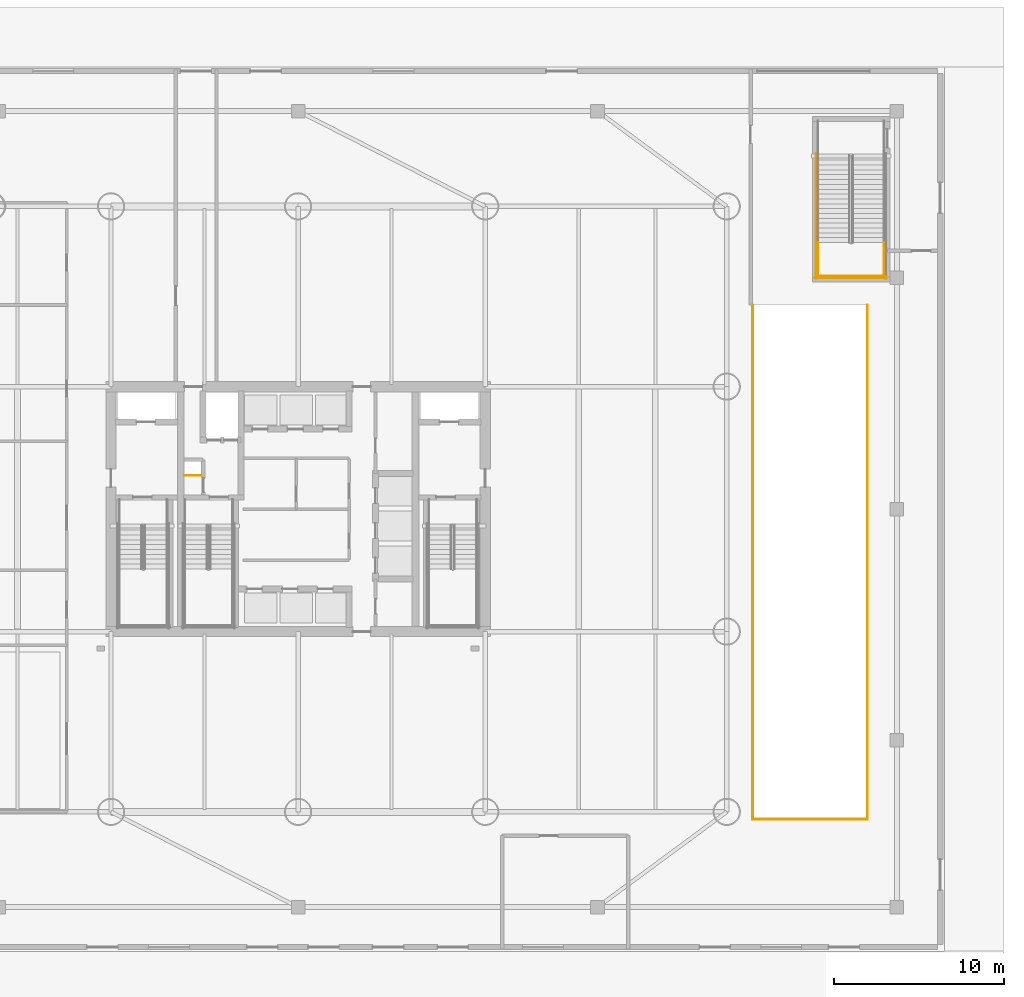
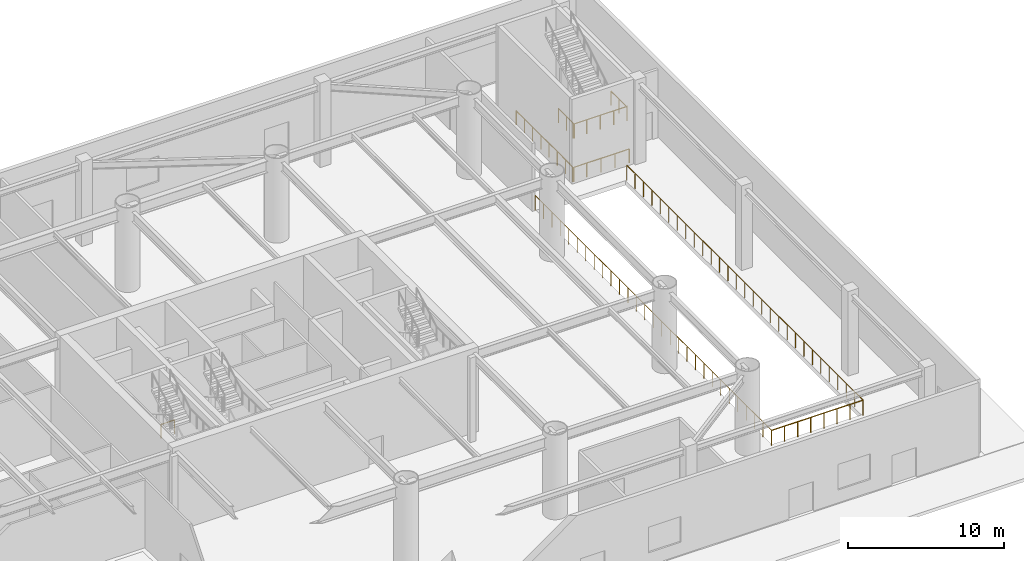
# One storey, part 13 of 15: 9 railings.
"""IFC4 building model written with IfcOpenShell, lengths in metres."""

from ifc_helpers import new_model, si_unit, direction, frame, origin, origin_2d, place, context, subcontext, project, spatial, circle, extrude, material, type_object, element, save


model = new_model("IFC4")

# Units and contexts
model_context = context("Model", 3, precision=1e-05, world=origin(), true_north=direction((0.0, 1.0)))
body_context = subcontext(model_context, "Body", "Model", "MODEL_VIEW")
ifc_project = project(units=[si_unit("LENGTHUNIT", "METRE"), si_unit("AREAUNIT", "SQUARE_METRE"), si_unit("VOLUMEUNIT", "CUBIC_METRE"), si_unit("PLANEANGLEUNIT", "RADIAN"), si_unit("MASSUNIT", "GRAM", prefix="KILO")], contexts=[model_context])

# Site, building, storey
site_placement = place(None, origin())
site = spatial("IfcSite", under=ifc_project, at=site_placement, CompositionType="ELEMENT")
building_placement = place(site_placement, origin())
building = spatial("IfcBuilding", under=site, at=building_placement, Name="Bramvorn Convention Spire", CompositionType="ELEMENT")
storey_placement = place(building_placement, origin())
storey = spatial("IfcBuildingStorey", under=building, at=storey_placement, Name="L00", CompositionType="ELEMENT", Elevation=0.0)

# Railings
ifc_material_1 = material(Name="Warm Bronze Perforated Metal & Glass Balustrade", Category="glass")
railing_type_1 = type_object("IfcRailingType", Name="RL-POD-BALUSTRADE-1200", PredefinedType="BALUSTRADE", material=ifc_material_1)
railing_1_placement = place(storey_placement, frame((64.719970703125, 38.0, 0.0)))
element("IfcRailing", 1, at=railing_1_placement, inside=storey, type_object=railing_type_1, Name="L00 vehicle ramp opening west safety balustrade", PredefinedType="BALUSTRADE", context=body_context, shape_type="SweptSolid", body=[
    extrude(circle(Radius=0.02392578125, at=origin_2d()), frame((0.0, 0.0, 1.17578125), z_axis=(0.0, -1.0, 0.0), x_axis=(1.0, 0.0, 0.0)), (0.0, 0.0, 1.0), 30.22998046875),
    extrude(circle(Radius=0.02099609375, at=origin_2d()), origin(), (0.0, 0.0, 1.0), 1.15185546875),
    extrude(circle(Radius=0.02099609375, at=origin_2d()), frame((0.0, -1.07958984375, 0.0)), (0.0, 0.0, 1.0), 1.15185546875),
    extrude(circle(Radius=0.02099609375, at=origin_2d()), frame((0.0, -2.1591796875, 0.0)), (0.0, 0.0, 1.0), 1.15185546875),
    extrude(circle(Radius=0.02099609375, at=origin_2d()), frame((0.0, -3.239013671875, 0.0)), (0.0, 0.0, 1.0), 1.15185546875),
    extrude(circle(Radius=0.02099609375, at=origin_2d()), frame((0.0, -4.318603515625, 0.0)), (0.0, 0.0, 1.0), 1.15185546875),
    extrude(circle(Radius=0.02099609375, at=origin_2d()), frame((0.0, -5.398193359375, 0.0)), (0.0, 0.0, 1.0), 1.15185546875),
    extrude(circle(Radius=0.02099609375, at=origin_2d()), frame((0.0, -6.477783203125, 0.0)), (0.0, 0.0, 1.0), 1.15185546875),
    extrude(circle(Radius=0.02099609375, at=origin_2d()), frame((0.0, -7.5576171875, 0.0)), (0.0, 0.0, 1.0), 1.15185546875),
    extrude(circle(Radius=0.02099609375, at=origin_2d()), frame((0.0, -8.63720703125, 0.0)), (0.0, 0.0, 1.0), 1.15185546875),
    extrude(circle(Radius=0.02099609375, at=origin_2d()), frame((0.0, -9.716796875, 0.0)), (0.0, 0.0, 1.0), 1.15185546875),
    extrude(circle(Radius=0.02099609375, at=origin_2d()), frame((0.0, -10.79638671875, 0.0)), (0.0, 0.0, 1.0), 1.15185546875),
    extrude(circle(Radius=0.02099609375, at=origin_2d()), frame((0.0, -11.8759765625, 0.0)), (0.0, 0.0, 1.0), 1.15185546875),
    extrude(circle(Radius=0.02099609375, at=origin_2d()), frame((0.0, -12.955810546875, 0.0)), (0.0, 0.0, 1.0), 1.15185546875),
    extrude(circle(Radius=0.02099609375, at=origin_2d()), frame((0.0, -14.035400390625, 0.0)), (0.0, 0.0, 1.0), 1.15185546875),
    extrude(circle(Radius=0.02099609375, at=origin_2d()), frame((0.0, -15.114990234375, 0.0)), (0.0, 0.0, 1.0), 1.15185546875),
    extrude(circle(Radius=0.02099609375, at=origin_2d()), frame((0.0, -16.194580078125, 0.0)), (0.0, 0.0, 1.0), 1.15185546875),
    extrude(circle(Radius=0.02099609375, at=origin_2d()), frame((0.0, -17.274169921875, 0.0)), (0.0, 0.0, 1.0), 1.15185546875),
    extrude(circle(Radius=0.02099609375, at=origin_2d()), frame((0.0, -18.35400390625, 0.0)), (0.0, 0.0, 1.0), 1.15185546875),
    extrude(circle(Radius=0.02099609375, at=origin_2d()), frame((0.0, -19.43359375, 0.0)), (0.0, 0.0, 1.0), 1.15185546875),
    extrude(circle(Radius=0.02099609375, at=origin_2d()), frame((0.0, -20.51318359375, 0.0)), (0.0, 0.0, 1.0), 1.15185546875),
    extrude(circle(Radius=0.02099609375, at=origin_2d()), frame((0.0, -21.5927734375, 0.0)), (0.0, 0.0, 1.0), 1.15185546875),
    extrude(circle(Radius=0.02099609375, at=origin_2d()), frame((0.0, -22.67236328125, 0.0)), (0.0, 0.0, 1.0), 1.15185546875),
    extrude(circle(Radius=0.02099609375, at=origin_2d()), frame((0.0, -23.752197265625, 0.0)), (0.0, 0.0, 1.0), 1.15185546875),
    extrude(circle(Radius=0.02099609375, at=origin_2d()), frame((0.0, -24.831787109375, 0.0)), (0.0, 0.0, 1.0), 1.15185546875),
    extrude(circle(Radius=0.02099609375, at=origin_2d()), frame((0.0, -25.911376953125, 0.0)), (0.0, 0.0, 1.0), 1.15185546875),
    extrude(circle(Radius=0.02099609375, at=origin_2d()), frame((0.0, -26.990966796875, 0.0)), (0.0, 0.0, 1.0), 1.15185546875),
    extrude(circle(Radius=0.02099609375, at=origin_2d()), frame((0.0, -28.07080078125, 0.0)), (0.0, 0.0, 1.0), 1.15185546875),
    extrude(circle(Radius=0.02099609375, at=origin_2d()), frame((0.0, -29.150390625, 0.0)), (0.0, 0.0, 1.0), 1.15185546875),
    extrude(circle(Radius=0.02099609375, at=origin_2d()), frame((0.0, -30.22998046875, 0.0)), (0.0, 0.0, 1.0), 1.15185546875),
])
railing_2_placement = place(storey_placement, frame((64.719970703125, 7.77001953125, 0.0)))
element("IfcRailing", 2, at=railing_2_placement, inside=storey, type_object=railing_type_1, Name="L00 vehicle ramp opening south safety balustrade", PredefinedType="BALUSTRADE", context=body_context, shape_type="SweptSolid", body=[
    extrude(circle(Radius=0.02392578125, at=origin_2d()), frame((0.0, 0.0, 1.17578125), z_axis=(1.0, 0.0, 0.0), x_axis=(0.0, 1.0, 0.0)), (0.0, 0.0, 1.0), 6.760009765625),
    extrude(circle(Radius=0.02099609375, at=origin_2d()), origin(), (0.0, 0.0, 1.0), 1.15185546875),
    extrude(circle(Radius=0.02099609375, at=origin_2d()), frame((0.9658203125, 0.0, 0.0)), (0.0, 0.0, 1.0), 1.15185546875),
    extrude(circle(Radius=0.02099609375, at=origin_2d()), frame((1.931396484375, 0.0, 0.0)), (0.0, 0.0, 1.0), 1.15185546875),
    extrude(circle(Radius=0.02099609375, at=origin_2d()), frame((2.897216796875, 0.0, 0.0)), (0.0, 0.0, 1.0), 1.15185546875),
    extrude(circle(Radius=0.02099609375, at=origin_2d()), frame((3.86279296875, 0.0, 0.0)), (0.0, 0.0, 1.0), 1.15185546875),
    extrude(circle(Radius=0.02099609375, at=origin_2d()), frame((4.82861328125, 0.0, 0.0)), (0.0, 0.0, 1.0), 1.15185546875),
    extrude(circle(Radius=0.02099609375, at=origin_2d()), frame((5.794189453125, 0.0, 0.0)), (0.0, 0.0, 1.0), 1.15185546875),
    extrude(circle(Radius=0.02099609375, at=origin_2d()), frame((6.760009765625, 0.0, 0.0)), (0.0, 0.0, 1.0), 1.15185546875),
])
railing_3_placement = place(storey_placement, frame((71.47998046875, 7.77001953125, 0.0)))
element("IfcRailing", 3, at=railing_3_placement, inside=storey, type_object=railing_type_1, Name="L00 vehicle ramp opening east safety balustrade", PredefinedType="BALUSTRADE", context=body_context, shape_type="SweptSolid", body=[
    extrude(circle(Radius=0.02392578125, at=origin_2d()), frame((0.0, 0.0, 1.17578125), z_axis=(0.0, 1.0, 0.0), x_axis=(-1.0, 0.0, 0.0)), (0.0, 0.0, 1.0), 30.22998046875),
    extrude(circle(Radius=0.02099609375, at=origin_2d()), origin(), (0.0, 0.0, 1.0), 1.15185546875),
    extrude(circle(Radius=0.02099609375, at=origin_2d()), frame((0.0, 1.07958984375, 0.0)), (0.0, 0.0, 1.0), 1.15185546875),
    extrude(circle(Radius=0.02099609375, at=origin_2d()), frame((0.0, 2.1591796875, 0.0)), (0.0, 0.0, 1.0), 1.15185546875),
    extrude(circle(Radius=0.02099609375, at=origin_2d()), frame((0.0, 3.239013671875, 0.0)), (0.0, 0.0, 1.0), 1.15185546875),
    extrude(circle(Radius=0.02099609375, at=origin_2d()), frame((0.0, 4.318603515625, 0.0)), (0.0, 0.0, 1.0), 1.15185546875),
    extrude(circle(Radius=0.02099609375, at=origin_2d()), frame((0.0, 5.398193359375, 0.0)), (0.0, 0.0, 1.0), 1.15185546875),
    extrude(circle(Radius=0.02099609375, at=origin_2d()), frame((0.0, 6.477783203125, 0.0)), (0.0, 0.0, 1.0), 1.15185546875),
    extrude(circle(Radius=0.02099609375, at=origin_2d()), frame((0.0, 7.5576171875, 0.0)), (0.0, 0.0, 1.0), 1.15185546875),
    extrude(circle(Radius=0.02099609375, at=origin_2d()), frame((0.0, 8.63720703125, 0.0)), (0.0, 0.0, 1.0), 1.15185546875),
    extrude(circle(Radius=0.02099609375, at=origin_2d()), frame((0.0, 9.716796875, 0.0)), (0.0, 0.0, 1.0), 1.15185546875),
    extrude(circle(Radius=0.02099609375, at=origin_2d()), frame((0.0, 10.79638671875, 0.0)), (0.0, 0.0, 1.0), 1.15185546875),
    extrude(circle(Radius=0.02099609375, at=origin_2d()), frame((0.0, 11.8759765625, 0.0)), (0.0, 0.0, 1.0), 1.15185546875),
    extrude(circle(Radius=0.02099609375, at=origin_2d()), frame((0.0, 12.955810546875, 0.0)), (0.0, 0.0, 1.0), 1.15185546875),
    extrude(circle(Radius=0.02099609375, at=origin_2d()), frame((0.0, 14.035400390625, 0.0)), (0.0, 0.0, 1.0), 1.15185546875),
    extrude(circle(Radius=0.02099609375, at=origin_2d()), frame((0.0, 15.114990234375, 0.0)), (0.0, 0.0, 1.0), 1.15185546875),
    extrude(circle(Radius=0.02099609375, at=origin_2d()), frame((0.0, 16.194580078125, 0.0)), (0.0, 0.0, 1.0), 1.15185546875),
    extrude(circle(Radius=0.02099609375, at=origin_2d()), frame((0.0, 17.274169921875, 0.0)), (0.0, 0.0, 1.0), 1.15185546875),
    extrude(circle(Radius=0.02099609375, at=origin_2d()), frame((0.0, 18.35400390625, 0.0)), (0.0, 0.0, 1.0), 1.15185546875),
    extrude(circle(Radius=0.02099609375, at=origin_2d()), frame((0.0, 19.43359375, 0.0)), (0.0, 0.0, 1.0), 1.15185546875),
    extrude(circle(Radius=0.02099609375, at=origin_2d()), frame((0.0, 20.51318359375, 0.0)), (0.0, 0.0, 1.0), 1.15185546875),
    extrude(circle(Radius=0.02099609375, at=origin_2d()), frame((0.0, 21.5927734375, 0.0)), (0.0, 0.0, 1.0), 1.15185546875),
    extrude(circle(Radius=0.02099609375, at=origin_2d()), frame((0.0, 22.67236328125, 0.0)), (0.0, 0.0, 1.0), 1.15185546875),
    extrude(circle(Radius=0.02099609375, at=origin_2d()), frame((0.0, 23.752197265625, 0.0)), (0.0, 0.0, 1.0), 1.15185546875),
    extrude(circle(Radius=0.02099609375, at=origin_2d()), frame((0.0, 24.831787109375, 0.0)), (0.0, 0.0, 1.0), 1.15185546875),
    extrude(circle(Radius=0.02099609375, at=origin_2d()), frame((0.0, 25.911376953125, 0.0)), (0.0, 0.0, 1.0), 1.15185546875),
    extrude(circle(Radius=0.02099609375, at=origin_2d()), frame((0.0, 26.990966796875, 0.0)), (0.0, 0.0, 1.0), 1.15185546875),
    extrude(circle(Radius=0.02099609375, at=origin_2d()), frame((0.0, 28.07080078125, 0.0)), (0.0, 0.0, 1.0), 1.15185546875),
    extrude(circle(Radius=0.02099609375, at=origin_2d()), frame((0.0, 29.150390625, 0.0)), (0.0, 0.0, 1.0), 1.15185546875),
    extrude(circle(Radius=0.02099609375, at=origin_2d()), frame((0.0, 30.22998046875, 0.0)), (0.0, 0.0, 1.0), 1.15185546875),
])
ifc_material_2 = material(Name="Painted Steel Balustrade & Guardrail", Category="steel")
railing_type_2 = type_object("IfcRailingType", Name="RL-STAIR-GUARD-1100", PredefinedType="GUARDRAIL", material=ifc_material_2)
for number, where, name in (
    (4, (68.570068359375, 41.669921875, 3.300048828125), "L00 ST5 stair guard 3"),
    (5, (72.449951171875, 41.669921875, 3.300048828125), "L00 ST5 stair guard 4"),
):
    element("IfcRailing", number, at=place(storey_placement, frame(where)), inside=storey, type_object=railing_type_2, Name=name, PredefinedType="GUARDRAIL", context=body_context, shape_type="SweptSolid", body=[
        extrude(circle(Radius=0.02392578125, at=origin_2d()), frame((0.0, 0.0, 1.076171875), z_axis=(0.0, -1.0, 0.0), x_axis=(1.0, 0.0, 0.0)), (0.0, 0.0, 1.0), 2.02001953125),
        extrude(circle(Radius=0.02099609375, at=origin_2d()), origin(), (0.0, 0.0, 1.0), 1.052001953125),
        extrude(circle(Radius=0.02099609375, at=origin_2d()), frame((0.0, -1.010009765625, 0.0)), (0.0, 0.0, 1.0), 1.052001953125),
        extrude(circle(Radius=0.02099609375, at=origin_2d()), frame((0.0, -2.02001953125, 0.0)), (0.0, 0.0, 1.0), 1.052001953125),
    ])
railing_4_placement = place(storey_placement, frame((68.52001953125, 39.699951171875, 3.300048828125)))
element("IfcRailing", 6, at=railing_4_placement, inside=storey, type_object=railing_type_2, Name="L00 ST5 stair guard 5", PredefinedType="GUARDRAIL", context=body_context, shape_type="SweptSolid", body=[
    extrude(circle(Radius=0.02392578125, at=origin_2d()), frame((0.0, 0.0, 1.076171875), z_axis=(1.0, 0.0, 0.0), x_axis=(0.0, 1.0, 0.0)), (0.0, 0.0, 1.0), 3.97998046875),
    extrude(circle(Radius=0.02099609375, at=origin_2d()), origin(), (0.0, 0.0, 1.0), 1.052001953125),
    extrude(circle(Radius=0.02099609375, at=origin_2d()), frame((0.9951171875, 0.0, 0.0)), (0.0, 0.0, 1.0), 1.052001953125),
    extrude(circle(Radius=0.02099609375, at=origin_2d()), frame((1.989990234375, 0.0, 0.0)), (0.0, 0.0, 1.0), 1.052001953125),
    extrude(circle(Radius=0.02099609375, at=origin_2d()), frame((2.98486328125, 0.0, 0.0)), (0.0, 0.0, 1.0), 1.052001953125),
    extrude(circle(Radius=0.02099609375, at=origin_2d()), frame((3.97998046875, 0.0, 0.0)), (0.0, 0.0, 1.0), 1.052001953125),
])
railing_5_placement = place(storey_placement, frame((68.469970703125, 46.89990234375, 0.0)))
element("IfcRailing", 7, at=railing_5_placement, inside=storey, type_object=railing_type_2, Name="L00 ST5 stair guard 10", PredefinedType="GUARDRAIL", context=body_context, shape_type="SweptSolid", body=[
    extrude(circle(Radius=0.02392578125, at=origin_2d()), frame((0.0, 0.0, 1.076171875), z_axis=(0.0, -1.0, 0.0), x_axis=(1.0, 0.0, 0.0)), (0.0, 0.0, 1.0), 7.349853515625),
    extrude(circle(Radius=0.02099609375, at=origin_2d()), origin(), (0.0, 0.0, 1.0), 1.052001953125),
    extrude(circle(Radius=0.02099609375, at=origin_2d()), frame((0.0, -1.050048828125, 0.0)), (0.0, 0.0, 1.0), 1.052001953125),
    extrude(circle(Radius=0.02099609375, at=origin_2d()), frame((0.0, -2.099853515625, 0.0)), (0.0, 0.0, 1.0), 1.052001953125),
    extrude(circle(Radius=0.02099609375, at=origin_2d()), frame((0.0, -3.14990234375, 0.0)), (0.0, 0.0, 1.0), 1.052001953125),
    extrude(circle(Radius=0.02099609375, at=origin_2d()), frame((0.0, -4.199951171875, 0.0)), (0.0, 0.0, 1.0), 1.052001953125),
    extrude(circle(Radius=0.02099609375, at=origin_2d()), frame((0.0, -5.25, 0.0)), (0.0, 0.0, 1.0), 1.052001953125),
    extrude(circle(Radius=0.02099609375, at=origin_2d()), frame((0.0, -6.2998046875, 0.0)), (0.0, 0.0, 1.0), 1.052001953125),
    extrude(circle(Radius=0.02099609375, at=origin_2d()), frame((0.0, -7.349853515625, 0.0)), (0.0, 0.0, 1.0), 1.052001953125),
])
railing_6_placement = place(storey_placement, frame((68.419921875, 39.60009765625, 0.0)))
element("IfcRailing", 8, at=railing_6_placement, inside=storey, type_object=railing_type_2, Name="L00 ST5 stair guard 12", PredefinedType="GUARDRAIL", context=body_context, shape_type="SweptSolid", body=[
    extrude(circle(Radius=0.02392578125, at=origin_2d()), frame((0.0, 0.0, 1.076171875), z_axis=(1.0, 0.0, 0.0), x_axis=(0.0, 1.0, 0.0)), (0.0, 0.0, 1.0), 4.18017578125),
    extrude(circle(Radius=0.02099609375, at=origin_2d()), origin(), (0.0, 0.0, 1.0), 1.052001953125),
    extrude(circle(Radius=0.02099609375, at=origin_2d()), frame((1.044921875, 0.0, 0.0)), (0.0, 0.0, 1.0), 1.052001953125),
    extrude(circle(Radius=0.02099609375, at=origin_2d()), frame((2.090087890625, 0.0, 0.0)), (0.0, 0.0, 1.0), 1.052001953125),
    extrude(circle(Radius=0.02099609375, at=origin_2d()), frame((3.13525390625, 0.0, 0.0)), (0.0, 0.0, 1.0), 1.052001953125),
    extrude(circle(Radius=0.02099609375, at=origin_2d()), frame((4.18017578125, 0.0, 0.0)), (0.0, 0.0, 1.0), 1.052001953125),
])
railing_7_placement = place(storey_placement, frame((31.320068359375, 27.97998046875, 0.0)))
element("IfcRailing", 9, at=railing_7_placement, inside=storey, type_object=railing_type_2, Name="L00 Telecom riser shaft opening safety guardrail", PredefinedType="GUARDRAIL", context=body_context, shape_type="SweptSolid", body=[
    extrude(circle(Radius=0.02392578125, at=origin_2d()), frame((0.0, 0.0, 1.076171875), z_axis=(1.0, 0.0, 0.0), x_axis=(0.0, 1.0, 0.0)), (0.0, 0.0, 1.0), 1.0),
    extrude(circle(Radius=0.02099609375, at=origin_2d()), origin(), (0.0, 0.0, 1.0), 1.052001953125),
    extrude(circle(Radius=0.02099609375, at=origin_2d()), frame((1.0, 0.0, 0.0)), (0.0, 0.0, 1.0), 1.052001953125),
])

save(model, "model.ifc")
